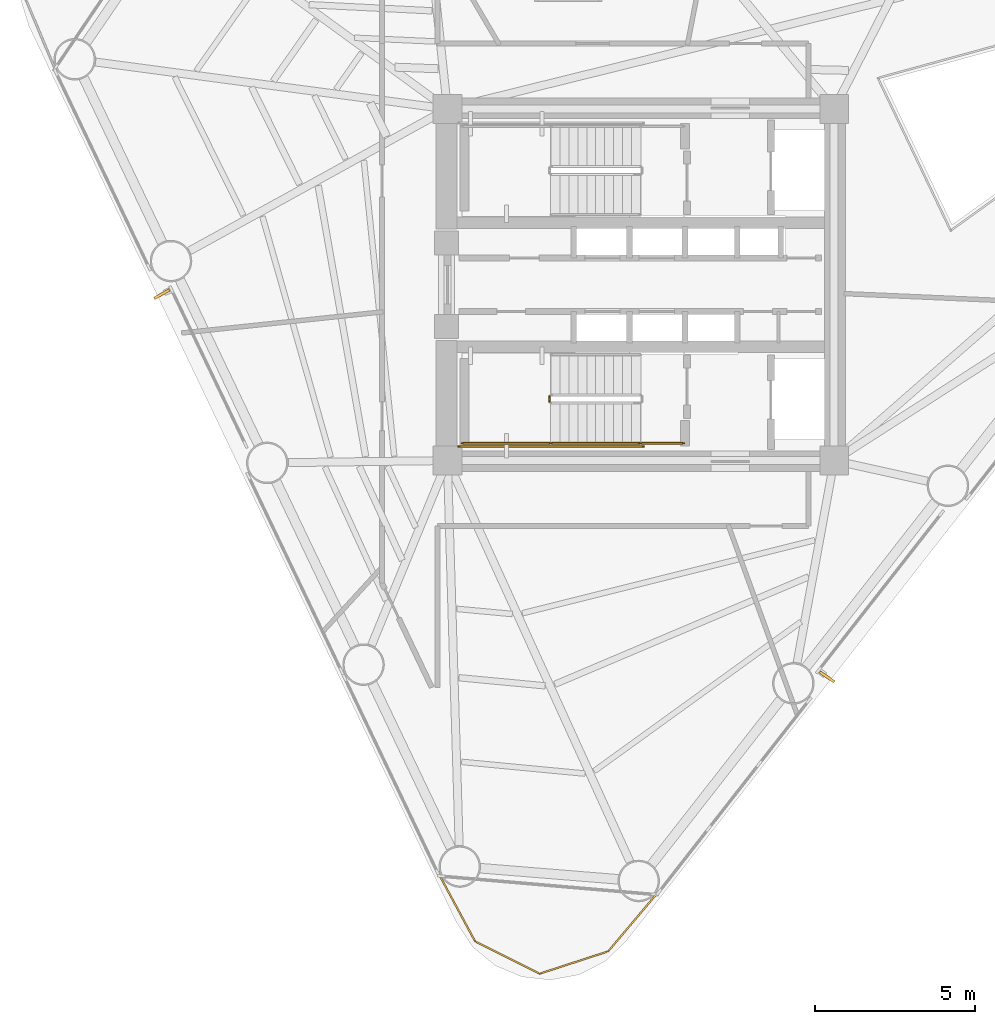
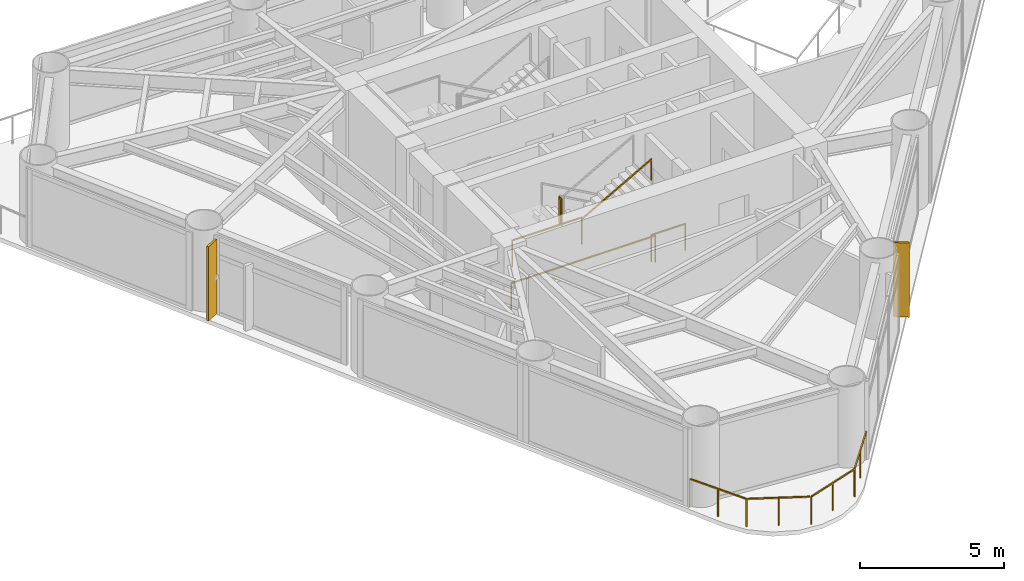
# One storey, part 8 of 10: 6 railings, 2 shading devices.
"""IFC4 building model written with IfcOpenShell, lengths in metres."""

from ifc_helpers import new_model, si_unit, direction, frame, origin, origin_2d, place, context, subcontext, project, spatial, rectangle, extrude, source, transform, mapped, material, material_profile, profile_set, type_object, element, save


model = new_model("IFC4")

# Units and contexts
model_context = context("Model", 3, precision=1e-05, world=origin(), true_north=direction((0.0, 1.0)))
body_context = subcontext(model_context, "Body", "Model", "MODEL_VIEW")
ifc_project = project(units=[si_unit("LENGTHUNIT", "METRE"), si_unit("AREAUNIT", "SQUARE_METRE"), si_unit("VOLUMEUNIT", "CUBIC_METRE"), si_unit("PLANEANGLEUNIT", "RADIAN"), si_unit("MASSUNIT", "GRAM", prefix="KILO")], contexts=[model_context])

# Site, building, storey
site_placement = place(None, origin())
site = spatial("IfcSite", under=ifc_project, at=site_placement, CompositionType="ELEMENT")
building_placement = place(site_placement, origin())
building = spatial("IfcBuilding", under=site, at=building_placement, Name="Yunling Apex Tower", CompositionType="ELEMENT")
storey_placement = place(building_placement, frame((0.0, 0.0, 132.949951171875)))
storey = spatial("IfcBuildingStorey", under=building, at=storey_placement, Name="L32", CompositionType="ELEMENT", Elevation=132.949951171875)

# Railings
ifc_material_1 = material(Name="Bronze anodised aluminium", Category="aluminium")
railing_type_1 = type_object("IfcRailingType", Name="RL-BAL-1200", PredefinedType="BALUSTRADE", material=ifc_material_1)
railing_1_placement = place(storey_placement, frame((0.4794921875, -19.07958984375, 0.0)))
element("IfcRailing", 1, at=railing_1_placement, inside=storey, type_object=railing_type_1, Name="RL-CRNSILL-L32-3", PredefinedType="BALUSTRADE", context=body_context, shape_type="SweptSolid", body=[
    extrude(rectangle(XDim=0.0439453125, YDim=0.0439453125, at=origin_2d()), origin(), (0.0, 0.0, 1.0), 1.199951171875),
    extrude(rectangle(XDim=0.0439453125, YDim=0.0439453125, at=origin_2d()), frame((-1.49853515625, -1.775390625, 0.0)), (0.0, 0.0, 1.0), 1.199951171875),
    extrude(rectangle(XDim=0.050048828125, YDim=0.050048828125, at=origin_2d()), frame((-0.024658203125, -0.029296875, 1.1748046875), z_axis=(-0.645009043245, -0.764174936865, 0.0), x_axis=(0.764174936865, -0.645009043245, 0.0)), (0.0, 0.0, 1.0), 2.24658203125),
    extrude(rectangle(XDim=0.0439453125, YDim=0.0439453125, at=origin_2d()), frame((-0.749267578125, -0.8876953125, 0.0)), (0.0, 0.0, 1.0), 1.14599609375),
    extrude(rectangle(XDim=0.0439453125, YDim=0.0439453125, at=origin_2d()), frame((-3.640380859375, -2.473876953125, 0.0)), (0.0, 0.0, 1.0), 1.199951171875),
    extrude(rectangle(XDim=0.050048828125, YDim=0.050048828125, at=origin_2d()), frame((-1.534912109375, -1.787353515625, 1.1748046875), z_axis=(-0.950722201045, -0.310044023389, 0.0), x_axis=(0.310044023389, -0.950722201045, 0.0)), (0.0, 0.0, 1.0), 2.17626953125),
    extrude(rectangle(XDim=0.0439453125, YDim=0.0439453125, at=origin_2d()), frame((-2.5693359375, -2.12451171875, 0.0)), (0.0, 0.0, 1.0), 1.14599609375),
    extrude(rectangle(XDim=0.0439453125, YDim=0.0439453125, at=origin_2d()), frame((-5.662841796875, -1.464111328125, 0.0)), (0.0, 0.0, 1.0), 1.199951171875),
    extrude(rectangle(XDim=0.050048828125, YDim=0.050048828125, at=origin_2d()), frame((-3.674560546875, -2.456787109375, 1.1748046875), z_axis=(-0.894686244893, 0.446695112129, 0.0), x_axis=(-0.446695112129, -0.894686244893, 0.0)), (0.0, 0.0, 1.0), 2.183837890625),
    extrude(rectangle(XDim=0.0439453125, YDim=0.0439453125, at=origin_2d()), frame((-4.651611328125, -1.968994140625, 0.0)), (0.0, 0.0, 1.0), 1.14599609375),
    extrude(rectangle(XDim=0.0439453125, YDim=0.0439453125, at=origin_2d()), frame((-6.76416015625, 0.580810546875, 0.0)), (0.0, 0.0, 1.0), 1.199951171875),
    extrude(rectangle(XDim=0.050048828125, YDim=0.050048828125, at=origin_2d()), frame((-5.680908203125, -1.430419921875, 1.1748046875), z_axis=(-0.474168772438, 0.880433969838, 0.0), x_axis=(-0.880433969838, -0.474168772438, 0.0)), (0.0, 0.0, 1.0), 2.245849609375),
    extrude(rectangle(XDim=0.0439453125, YDim=0.0439453125, at=origin_2d()), frame((-6.21337890625, -0.441650390625, 0.0)), (0.0, 0.0, 1.0), 1.14599609375),
])
ifc_material_2 = material(Name="Steel Q355B", Category="steel")
railing_type_2 = type_object("IfcRailingType", Name="RL-GRD-1150", PredefinedType="GUARDRAIL", material=ifc_material_2)
railing_2_placement = place(storey_placement, frame((-2.860107421875, -3.5, 1.72509765625)))
element("IfcRailing", 2, at=railing_2_placement, inside=storey, type_object=railing_type_2, Name="L32 ST-2 stair guard 2", PredefinedType="GUARDRAIL", context=body_context, shape_type="SweptSolid", body=[
    extrude(rectangle(XDim=0.0439453125, YDim=0.0439453125, at=origin_2d()), origin(), (0.0, 0.0, 1.0), 1.14990234375),
    extrude(rectangle(XDim=0.0439453125, YDim=0.0439453125, at=origin_2d()), frame((0.0, -0.14990234375, 0.0)), (0.0, 0.0, 1.0), 1.14990234375),
    extrude(rectangle(XDim=0.050048828125, YDim=0.050048828125, at=origin_2d()), frame((0.0, -0.038330078125, 1.125), z_axis=(0.0, -1.0, 0.0), x_axis=(1.0, 0.0, 0.0)), (0.0, 0.0, 1.0), 0.0732421875),
])
railing_3_placement = place(storey_placement, frame((-2.81005859375, -4.9599609375, 1.72509765625)))
element("IfcRailing", 3, at=railing_3_placement, inside=storey, type_object=railing_type_2, Name="L32 ST-2 stair guard 3", PredefinedType="GUARDRAIL", context=body_context, shape_type="SweptSolid", body=[
    extrude(rectangle(XDim=0.0439453125, YDim=0.0439453125, at=origin_2d()), origin(), (0.0, 0.0, 1.0), 1.14990234375),
    extrude(rectangle(XDim=0.0439453125, YDim=0.0439453125, at=origin_2d()), frame((-2.7900390625, 0.0, 0.0)), (0.0, 0.0, 1.0), 1.14990234375),
    extrude(rectangle(XDim=0.050048828125, YDim=0.050048828125, at=origin_2d()), frame((-0.038330078125, 0.0, 1.125), z_axis=(-1.0, 0.0, 0.0), x_axis=(0.0, -1.0, 0.0)), (0.0, 0.0, 1.0), 2.71337890625),
])
railing_4_placement = place(storey_placement, frame((1.35009765625, -4.9599609375, 0.0)))
element("IfcRailing", 4, at=railing_4_placement, inside=storey, type_object=railing_type_2, Name="L32 ST-2 stair guard 6", PredefinedType="GUARDRAIL", context=body_context, shape_type="SweptSolid", body=[
    extrude(rectangle(XDim=0.0439453125, YDim=0.0439453125, at=origin_2d()), origin(), (0.0, 0.0, 1.0), 1.14990234375),
    extrude(rectangle(XDim=0.0439453125, YDim=0.0439453125, at=origin_2d()), frame((-1.360107421875, 0.0, 0.0)), (0.0, 0.0, 1.0), 1.14990234375),
    extrude(rectangle(XDim=0.050048828125, YDim=0.050048828125, at=origin_2d()), frame((-0.038330078125, 0.0, 1.125), z_axis=(-1.0, 0.0, 0.0), x_axis=(0.0, -1.0, 0.0)), (0.0, 0.0, 1.0), 1.283447265625),
])
railing_5_placement = place(storey_placement, frame((0.090087890625, -5.06005859375, 0.0)))
element("IfcRailing", 5, at=railing_5_placement, inside=storey, type_object=railing_type_2, Name="L32 ST-2 stair guard 7", PredefinedType="GUARDRAIL", context=body_context, shape_type="SweptSolid", body=[
    extrude(rectangle(XDim=0.0439453125, YDim=0.0439453125, at=origin_2d()), origin(), (0.0, 0.0, 1.0), 1.14990234375),
    extrude(rectangle(XDim=0.0439453125, YDim=0.0439453125, at=origin_2d()), frame((-5.7900390625, 0.0, 0.0)), (0.0, 0.0, 1.0), 1.14990234375),
    extrude(rectangle(XDim=0.050048828125, YDim=0.050048828125, at=origin_2d()), frame((-0.038330078125, 0.0, 1.125), z_axis=(-1.0, 0.0, 0.0), x_axis=(0.0, -1.0, 0.0)), (0.0, 0.0, 1.0), 5.71337890625),
])
ifc_material_3 = material(Name="Silver anodised aluminium", Category="aluminium")
railing_type_3 = type_object("IfcRailingType", Name="RL-HND-900", PredefinedType="HANDRAIL", material=ifc_material_3)
railing_6_placement = place(storey_placement, frame((-2.81005859375, -4.9599609375, 1.8818359375)))
element("IfcRailing", 6, at=railing_6_placement, inside=storey, type_object=railing_type_3, Name="L32 ST-2 stair handrail 2", PredefinedType="HANDRAIL", context=body_context, shape_type="SweptSolid", body=[
    extrude(rectangle(XDim=0.0439453125, YDim=0.0439453125, at=origin_2d()), origin(), (0.0, 0.0, 1.0), 0.919921875),
    extrude(rectangle(XDim=0.0439453125, YDim=0.0439453125, at=origin_2d()), frame((2.800048828125, 0.0, 1.568115234375)), (0.0, 0.0, 1.0), 0.919921875),
    extrude(rectangle(XDim=0.050048828125, YDim=0.050048828125, at=origin_2d()), frame((0.033447265625, 0.0, 0.91357421875), z_axis=(0.872494340497, 0.0, 0.48862421737), x_axis=(0.0, 1.0, 0.0)), (0.0, 0.0, 1.0), 3.132568359375),
])

# Shading devices
ifc_material_profile = material_profile(ifc_material_1, rectangle(XDim=0.0849609375, YDim=0.550048828125, at=origin_2d()))
ifc_profile_set = profile_set([ifc_material_profile], Name="Bronze anodised aluminium")
shading_device_type = type_object("IfcShadingDeviceType", Name="FN-BRZ-3", PredefinedType="USERDEFINED", material=ifc_profile_set)
shared_shape = source(origin(), body_context, "Body", "SweptSolid", [
    extrude(rectangle(XDim=0.0849609375, YDim=0.550048828125, at=origin_2d()), origin(), (0.0, 0.0, 1.0), 3.14990234375),
])
for number, where, z_axis, x_axis, name in (
    (7, (5.82763671875, -12.268310546875, 0.06005859375), (0.0, 0.0, 1.0), (0.563381859003, 0.826196635763, 0.0), "CW-L32-F1-B2-FIN-01"),
    (8, (-14.984375, -0.2939453125, 0.06005859375), (0.0, 0.0, 1.0), (0.488621241497, -0.872496007073, 0.0), "CW-L32-F3-B2-FIN-01"),
):
    element("IfcShadingDevice", number, at=place(storey_placement, frame(where, z_axis=z_axis, x_axis=x_axis)), inside=storey, type_object=shading_device_type, Name=name, ObjectType="FIN", PredefinedType="USERDEFINED", context=body_context, shape_type="MappedRepresentation", body=[
        mapped(shared_shape, transform((0.0, 0.0, 0.0), scale=1.0)),
    ])

save(model, "model.ifc")
